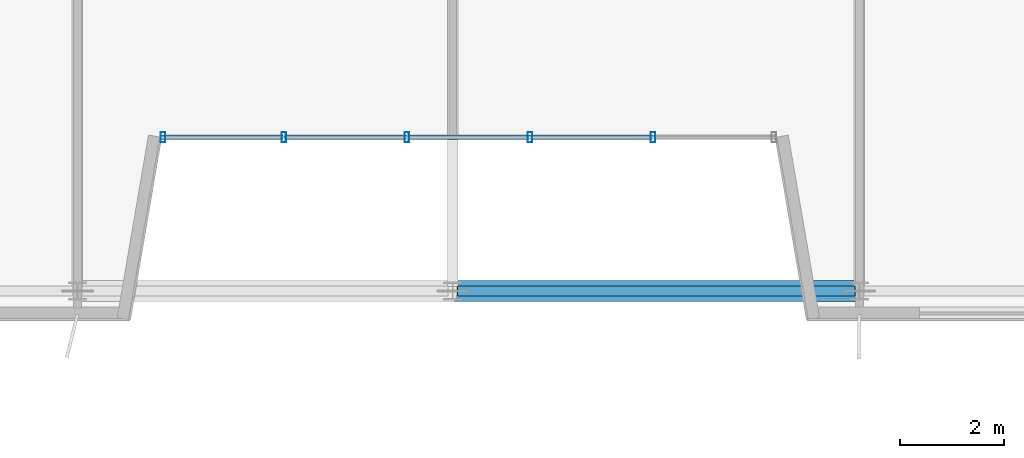
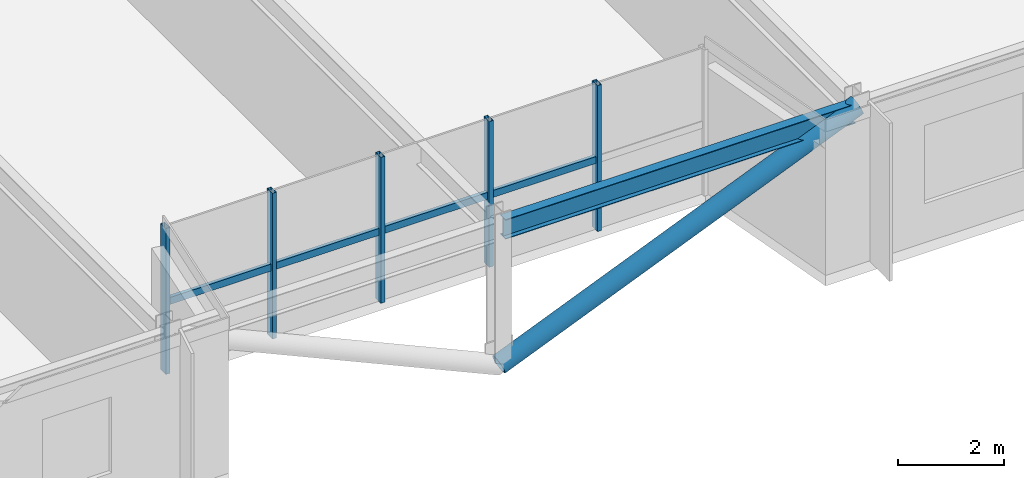
# One storey, part 6 of 27: 10 members, 1 beam, 1 element without a shape of its own.
"""IFC4 building model written with IfcOpenShell, lengths in metres."""

from ifc_helpers import new_model, si_unit, direction, frame, origin, origin_2d, place, context, subcontext, project, spatial, hollow_rectangle, hollow_circle, i_section, extrude, source, transform, mapped, material, material_profile, profile_set, type_object, element, aggregate, save


model = new_model("IFC4")

# Units and contexts
model_context = context("Model", 3, precision=1e-05, world=origin(), true_north=direction((0.0, 1.0)))
body_context = subcontext(model_context, "Body", "Model", "MODEL_VIEW")
ifc_project = project(units=[si_unit("LENGTHUNIT", "METRE"), si_unit("AREAUNIT", "SQUARE_METRE"), si_unit("VOLUMEUNIT", "CUBIC_METRE"), si_unit("PLANEANGLEUNIT", "RADIAN"), si_unit("MASSUNIT", "GRAM", prefix="KILO")], contexts=[model_context])

# Site, building, storey
site_placement = place(None, origin())
site = spatial("IfcSite", under=ifc_project, at=site_placement, CompositionType="ELEMENT")
building_placement = place(site_placement, origin())
building = spatial("IfcBuilding", under=site, at=building_placement, Name="Trelvane Seafront Commons", CompositionType="ELEMENT")
storey_placement = place(building_placement, frame((0.0, 0.0, 233.699951171875)))
storey = spatial("IfcBuildingStorey", under=building, at=storey_placement, Name="L61", CompositionType="ELEMENT", Elevation=233.699951171875)

# Beam
ifc_material_1 = material(Name="Steel SM355 (S355)", Category="steel")
ifc_material_profile_1 = material_profile(ifc_material_1, i_section(OverallWidth=0.199951171875, OverallDepth=0.449951171875, WebThickness=0.009033203125, FlangeThickness=0.013916015625, at=origin_2d()), Name="H-450x200x9x14")
ifc_profile_set_1 = profile_set([ifc_material_profile_1], Name="Steel SM355 (S355)")
beam_type = type_object("IfcBeamType", Name="STR-SPD-H450", PredefinedType="SPANDREL", material=ifc_profile_set_1)
shared_shape_1 = source(origin(), body_context, "Body", "SweptSolid", [
    extrude(i_section(OverallWidth=0.199951171875, OverallDepth=0.449951171875, WebThickness=0.009033203125, FlangeThickness=0.013916015625, at=origin_2d()), origin(), (0.0, 0.0, 1.0), 7.625),
])
beam_placement = place(storey_placement, frame((51.08740234375, 3.949951171875, 3.135009765625), z_axis=(1.0, 0.0, 0.0), x_axis=(0.0, 1.0, 0.0)))
element("IfcBeam", 1, at=beam_placement, inside=storey, type_object=beam_type, Name="L61 Primary Girder G-06", PredefinedType="SPANDREL", context=body_context, shape_type="MappedRepresentation", body=[
    mapped(shared_shape_1, transform((0.0, 0.0, 0.0), x_axis=(1.0, 0.0, 0.0), y_axis=(0.0, 1.0, 0.0), z_axis=(0.0, 0.0, 1.0), scale=1.0)),
])

# Member
ifc_material_profile_2 = material_profile(ifc_material_1, hollow_circle(Radius=0.203125, WallThickness=0.01611328125, at=origin_2d()), Name="CHS-406.4x16")
ifc_profile_set_2 = profile_set([ifc_material_profile_2], Name="Steel SM355 (S355)")
member_type_1 = type_object("IfcMemberType", Name="STR-STR-CHS406", PredefinedType="STRUT", material=ifc_profile_set_2)
shared_shape_2 = source(origin(), body_context, "Body", "SweptSolid", [
    extrude(hollow_circle(Radius=0.203125, WallThickness=0.01611328125, at=origin_2d()), origin(), (0.0, 0.0, 1.0), 8.4462890625),
])
member_1_placement = place(storey_placement, frame((51.0, 3.949951171875, 0.0), z_axis=(0.92349797654, 0.0, 0.383603294208), x_axis=(0.0, 1.0, 0.0)))
element("IfcMember", 2, at=member_1_placement, inside=storey, type_object=member_type_1, Name="L61 Sky-Garden V-Chevron Brace SGV-E", PredefinedType="STRUT", context=body_context, shape_type="MappedRepresentation", body=[
    mapped(shared_shape_2, transform((0.0, 0.0, 0.0), x_axis=(1.0, 0.0, 0.0), y_axis=(0.0, 1.0, 0.0), z_axis=(0.0, 0.0, 1.0), scale=1.0)),
])

# Curtain wall, members
ifc_material_2 = material(Name="Anodised pale-silver aluminium", Category="aluminium")
curtain_wall_type = type_object("IfcCurtainWallType", Name="ARCH-CW3-PORTAL", PredefinedType="NOTDEFINED", material=ifc_material_2)
curtain_wall_placement = place(storey_placement, origin())
curtain_wall = element("IfcCurtainWall", 3, at=curtain_wall_placement, inside=storey, type_object=curtain_wall_type, Name="CW-L61-VN-0105", PredefinedType="NOTDEFINED")
ifc_material_profile_3 = material_profile(ifc_material_2, hollow_rectangle(XDim=0.080078125, YDim=0.159912109375, WallThickness=0.00439453125, at=origin_2d()), Name="TRAN-80x160x4.5")
ifc_profile_set_3 = profile_set([ifc_material_profile_3], Name="Anodised pale-silver aluminium")
member_type_2 = type_object("IfcMemberType", Name="ARCH-CW-TRAN-160", PredefinedType="USERDEFINED", material=ifc_profile_set_3)
shared_shape_3 = source(origin(), body_context, "Body", "SweptSolid", [
    extrude(hollow_rectangle(XDim=0.080078125, YDim=0.159912109375, WallThickness=0.00439453125, at=origin_2d()), origin(), (0.0, 0.0, 1.0), 2.3359375),
])
member_2_placement = place(storey_placement, frame((54.827880859375, 6.89990234375, 1.613037109375), z_axis=(-1.0, 0.0, 0.0), x_axis=(0.0, -1.0, 0.0)))
member_2 = element("IfcMember", 4, at=member_2_placement, type_object=member_type_2, Name="CW-L61-VN-0105-T01", ObjectType="TRANSOM", PredefinedType="USERDEFINED", context=body_context, shape_type="MappedRepresentation", body=[
    mapped(shared_shape_3, transform((0.0, 0.0, 0.0), x_axis=(1.0, 0.0, 0.0), y_axis=(0.0, 1.0, 0.0), z_axis=(0.0, 0.0, 1.0), scale=1.0)),
])
member_3_placement = place(storey_placement, frame((52.468017578125, 6.89990234375, 1.613037109375), z_axis=(-1.0, 0.0, 0.0), x_axis=(0.0, -1.0, 0.0)))
member_3 = element("IfcMember", 5, at=member_3_placement, type_object=member_type_2, Name="CW-L61-VN-0105-T02", ObjectType="TRANSOM", PredefinedType="USERDEFINED", context=body_context, shape_type="MappedRepresentation", body=[
    mapped(shared_shape_3, transform((0.0, 0.0, 0.0), x_axis=(1.0, 0.0, 0.0), y_axis=(0.0, 1.0, 0.0), z_axis=(0.0, 0.0, 1.0), scale=1.0)),
])
member_4_placement = place(storey_placement, frame((50.10791015625, 6.89990234375, 1.613037109375), z_axis=(-1.0, 0.0, 0.0), x_axis=(0.0, -1.0, 0.0)))
member_4 = element("IfcMember", 6, at=member_4_placement, type_object=member_type_2, Name="CW-L61-VN-0105-T03", ObjectType="TRANSOM", PredefinedType="USERDEFINED", context=body_context, shape_type="MappedRepresentation", body=[
    mapped(shared_shape_3, transform((0.0, 0.0, 0.0), x_axis=(1.0, 0.0, 0.0), y_axis=(0.0, 1.0, 0.0), z_axis=(0.0, 0.0, 1.0), scale=1.0)),
])
member_5_placement = place(storey_placement, frame((47.748046875, 6.89990234375, 1.613037109375), z_axis=(-1.0, 0.0, 0.0), x_axis=(0.0, -1.0, 0.0)))
member_5 = element("IfcMember", 7, at=member_5_placement, type_object=member_type_2, Name="CW-L61-VN-0105-T04", ObjectType="TRANSOM", PredefinedType="USERDEFINED", context=body_context, shape_type="MappedRepresentation", body=[
    mapped(shared_shape_3, transform((0.0, 0.0, 0.0), x_axis=(1.0, 0.0, 0.0), y_axis=(0.0, 1.0, 0.0), z_axis=(0.0, 0.0, 1.0), scale=1.0)),
])
ifc_material_profile_4 = material_profile(ifc_material_2, hollow_rectangle(XDim=0.090087890625, YDim=0.199951171875, WallThickness=0.0048828125, at=origin_2d()), Name="MULL-90x200x5")
ifc_profile_set_4 = profile_set([ifc_material_profile_4], Name="Anodised pale-silver aluminium")
member_type_3 = type_object("IfcMemberType", Name="ARCH-CW-MULL-200", PredefinedType="MULLION", material=ifc_profile_set_4)
shared_shape_4 = source(origin(), body_context, "Body", "SweptSolid", [
    extrude(hollow_rectangle(XDim=0.090087890625, YDim=0.199951171875, WallThickness=0.0048828125, at=origin_2d()), origin(), (0.0, 0.0, 1.0), 3.360107421875),
])
member_6_placement = place(storey_placement, frame((54.840087890625, 6.89990234375, 0.0), z_axis=(0.0, 0.0, 1.0), x_axis=(1.0, 0.0, 0.0)))
member_6 = element("IfcMember", 8, at=member_6_placement, type_object=member_type_3, Name="CW-L61-VN-0105-M01", PredefinedType="MULLION", context=body_context, shape_type="MappedRepresentation", body=[
    mapped(shared_shape_4, transform((0.0, 0.0, 0.0), x_axis=(1.0, 0.0, 0.0), y_axis=(0.0, 1.0, 0.0), z_axis=(0.0, 0.0, 1.0), scale=1.0)),
])
member_7_placement = place(storey_placement, frame((52.47998046875, 6.89990234375, 0.0), z_axis=(0.0, 0.0, 1.0), x_axis=(1.0, 0.0, 0.0)))
member_7 = element("IfcMember", 9, at=member_7_placement, type_object=member_type_3, Name="CW-L61-VN-0105-M02", PredefinedType="MULLION", context=body_context, shape_type="MappedRepresentation", body=[
    mapped(shared_shape_4, transform((0.0, 0.0, 0.0), x_axis=(1.0, 0.0, 0.0), y_axis=(0.0, 1.0, 0.0), z_axis=(0.0, 0.0, 1.0), scale=1.0)),
])
member_8_placement = place(storey_placement, frame((50.1201171875, 6.89990234375, 0.0), z_axis=(0.0, 0.0, 1.0), x_axis=(1.0, 0.0, 0.0)))
member_8 = element("IfcMember", 10, at=member_8_placement, type_object=member_type_3, Name="CW-L61-VN-0105-M03", PredefinedType="MULLION", context=body_context, shape_type="MappedRepresentation", body=[
    mapped(shared_shape_4, transform((0.0, 0.0, 0.0), x_axis=(1.0, 0.0, 0.0), y_axis=(0.0, 1.0, 0.0), z_axis=(0.0, 0.0, 1.0), scale=1.0)),
])
member_9_placement = place(storey_placement, frame((47.760009765625, 6.89990234375, 0.0), z_axis=(0.0, 0.0, 1.0), x_axis=(1.0, 0.0, 0.0)))
member_9 = element("IfcMember", 11, at=member_9_placement, type_object=member_type_3, Name="CW-L61-VN-0105-M04", PredefinedType="MULLION", context=body_context, shape_type="MappedRepresentation", body=[
    mapped(shared_shape_4, transform((0.0, 0.0, 0.0), x_axis=(1.0, 0.0, 0.0), y_axis=(0.0, 1.0, 0.0), z_axis=(0.0, 0.0, 1.0), scale=1.0)),
])
member_10_placement = place(storey_placement, frame((45.43994140625, 6.89990234375, 0.0), z_axis=(0.0, 0.0, 1.0), x_axis=(1.0, 0.0, 0.0)))
member_10 = element("IfcMember", 12, at=member_10_placement, type_object=member_type_3, Name="CW-L61-VN-0105-M05", PredefinedType="MULLION", context=body_context, shape_type="MappedRepresentation", body=[
    mapped(shared_shape_4, transform((0.0, 0.0, 0.0), x_axis=(1.0, 0.0, 0.0), y_axis=(0.0, 1.0, 0.0), z_axis=(0.0, 0.0, 1.0), scale=1.0)),
])
aggregate(curtain_wall, [member_6, member_7, member_8, member_9, member_10, member_2, member_3, member_4, member_5])

save(model, "model.ifc")
